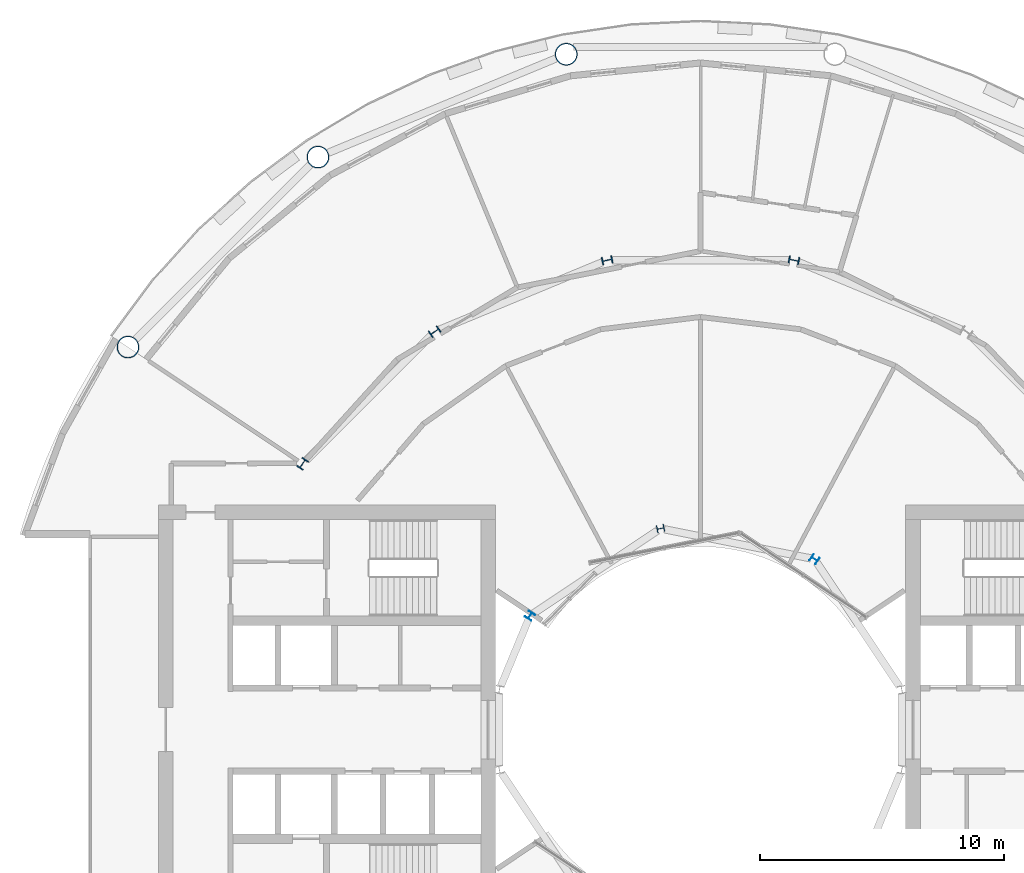
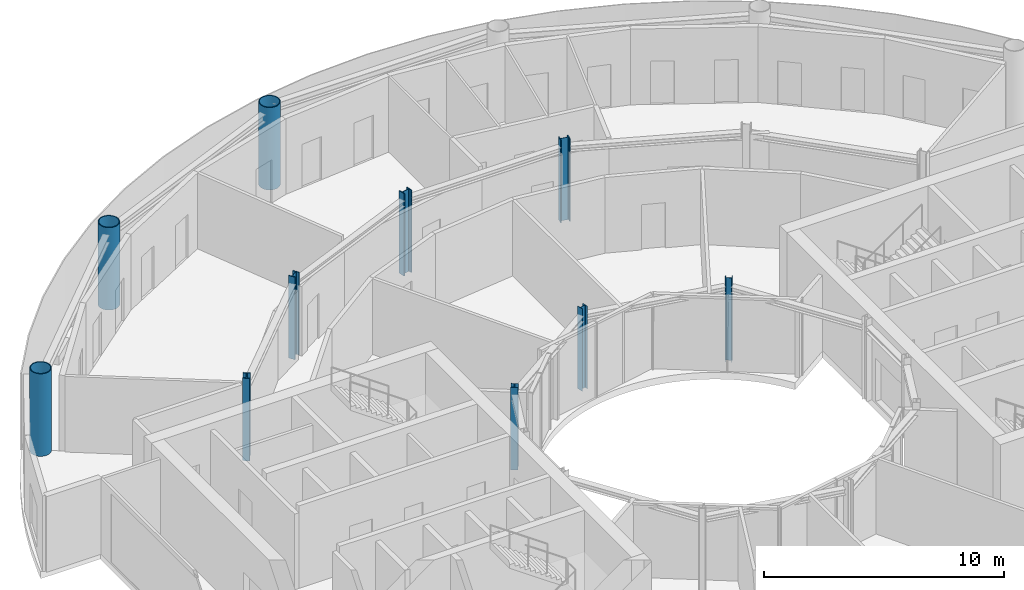
# One storey, part 3 of 21: 10 columns.
"""IFC4 building model written with IfcOpenShell, lengths in metres."""

import ifcopenshell
import ifcopenshell.guid

model = None  # the IFC model being written
_history = None  # IfcOwnerHistory: only IFC2X3 demands one
_inside = {}  # id of a spatial element -> (the spatial element, [elements in it])
_under = {}  # id of a project, library or spatial element -> (it, [spatial elements below it])
_declared = {}  # id of a project -> (the project, [libraries it declares])
_typed = {}  # id of a type object -> (the type object, [elements of that type])
_made_of = {}  # id of a material, layer set ... -> (it, [elements and type objects made of it])


def new_model(schema):
    """Start an empty IFC model of exactly this schema.

    Asked for "IFC4X3", IfcOpenShell would pick the latest addendum, in which some entities
    have other attributes; the version numbers below select the first issue.
    IFC2X3 requires an IfcOwnerHistory on every rooted entity: one is made here for all.
    """
    global model, _history
    if schema == "IFC4X3":
        model = ifcopenshell.file(schema_version=(4, 3, 0, 0))
    else:
        model = ifcopenshell.file(schema=schema)
    _inside.clear()
    _under.clear()
    _declared.clear()
    _typed.clear()
    _made_of.clear()
    _history = None
    if model.schema == "IFC2X3":
        org = make("IfcOrganization", Name="unknown")
        user = make(
            "IfcPersonAndOrganization",
            ThePerson=make("IfcPerson", FamilyName="unknown"),
            TheOrganization=org,
        )
        app = make(
            "IfcApplication",
            ApplicationDeveloper=org,
            Version="unknown",
            ApplicationFullName="unknown",
            ApplicationIdentifier="unknown",
        )
        _history = make(
            "IfcOwnerHistory",
            OwningUser=user,
            OwningApplication=app,
            ChangeAction="ADDED",
            CreationDate=0,
        )
    return model


def make(cls, **values):
    """One entity of the class cls with the attributes given. An attribute that is None is left unset."""
    return model.create_entity(
        cls, **{name: value for name, value in values.items() if value is not None}
    )


def rooted(cls, **values):
    """An entity with a GlobalId (a new one), such as an element, a storey or a relation."""
    return make(cls, GlobalId=ifcopenshell.guid.new(), OwnerHistory=_history, **values)


def si_unit(unit_type, name, prefix=None):
    """IfcSIUnit, for example si_unit("LENGTHUNIT", "METRE", prefix="MILLI")."""
    return make("IfcSIUnit", UnitType=unit_type, Prefix=prefix, Name=name)


def assignment(units):
    """IfcUnitAssignment: the units of a project."""
    return None if units is None else make("IfcUnitAssignment", Units=units)


def point(xyz):
    """IfcCartesianPoint."""
    return None if xyz is None else make("IfcCartesianPoint", Coordinates=xyz)


def direction(xyz):
    """IfcDirection."""
    return None if xyz is None else make("IfcDirection", DirectionRatios=xyz)


def frame(location, z_axis=None, x_axis=None):
    """IfcAxis2Placement3D, a coordinate frame: its origin and axes. An axis left out is left unset."""
    return make(
        "IfcAxis2Placement3D",
        Location=point(location),
        Axis=direction(z_axis),
        RefDirection=direction(x_axis),
    )


def frame_2d(location, x_axis=None):
    """IfcAxis2Placement2D, a coordinate frame in the plane: its origin and x axis."""
    return make(
        "IfcAxis2Placement2D", Location=point(location), RefDirection=direction(x_axis)
    )


def origin():
    """The frame at (0, 0, 0) with its axes left unset."""
    return frame((0.0, 0.0, 0.0))


def origin_2d():
    """The frame at (0, 0) in the plane with its x axis left unset."""
    return frame_2d((0.0, 0.0))


def place(relative_to, where):
    """IfcLocalPlacement: puts the frame where relative to a parent placement (None: the world)."""
    return make(
        "IfcLocalPlacement", PlacementRelTo=relative_to, RelativePlacement=where
    )


def context(
    kind, dimensions, precision=None, world=None, true_north=None, identifier=None
):
    """IfcGeometricRepresentationContext, for example the 3D "Model" context."""
    return make(
        "IfcGeometricRepresentationContext",
        ContextIdentifier=identifier,
        ContextType=kind,
        CoordinateSpaceDimension=dimensions,
        Precision=precision,
        WorldCoordinateSystem=world,
        TrueNorth=true_north,
    )


def subcontext(parent, identifier, kind, view, scale=None):
    """IfcGeometricRepresentationSubContext, for example "Body" below "Model"."""
    return make(
        "IfcGeometricRepresentationSubContext",
        ContextIdentifier=identifier,
        ContextType=kind,
        ParentContext=parent,
        TargetScale=scale,
        TargetView=view,
    )


def project(units=None, contexts=None):
    """IfcProject with its units and contexts."""
    return rooted(
        "IfcProject",
        Name="project",
        RepresentationContexts=contexts,
        UnitsInContext=assignment(units),
    )


def spatial(cls, under=None, at=None, **own):
    """A site, building, storey or space (cls), placed at a placement, below another one or the project."""
    s = rooted(cls, ObjectPlacement=at, **own)
    if under is not None:
        _under.setdefault(under.id(), (under, []))[1].append(s)
    return s


def profile(cls, at=None, kind="AREA", **sizes):
    """A parametric profile (cls). Its sizes go by their IFC names, for example OverallWidth=200.0."""
    return make(cls, ProfileType=kind, Position=at, **sizes)


def hollow_circle(**sizes):
    """IfcCircleHollowProfileDef."""
    return profile("IfcCircleHollowProfileDef", **sizes)


def i_section(**sizes):
    """IfcIShapeProfileDef."""
    return profile("IfcIShapeProfileDef", **sizes)


def extrude(swept, where, along, depth):
    """IfcExtrudedAreaSolid: the profile swept, set in the frame where, extruded along a direction by depth."""
    return make(
        "IfcExtrudedAreaSolid",
        SweptArea=swept,
        Position=where,
        ExtrudedDirection=direction(along),
        Depth=depth,
    )


def shape(context_of_items, identifier, shape_type, items):
    """IfcShapeRepresentation: the items that make up one representation, for example the "Body"."""
    return make(
        "IfcShapeRepresentation",
        ContextOfItems=context_of_items,
        RepresentationIdentifier=identifier,
        RepresentationType=shape_type,
        Items=items,
    )


def material(Name=None, Category=None):
    """IfcMaterial."""
    return make("IfcMaterial", Name=Name, Category=Category)


def material_profile(
    of_material, cross_section, Name=None, Category=None, Priority=None
):
    """IfcMaterialProfile: a cross section and its material."""
    return make(
        "IfcMaterialProfile",
        Name=Name,
        Material=of_material,
        Profile=cross_section,
        Priority=Priority,
        Category=Category,
    )


def profile_set(profiles, Name=None, composite=None):
    """IfcMaterialProfileSet."""
    return make(
        "IfcMaterialProfileSet",
        Name=Name,
        MaterialProfiles=profiles,
        CompositeProfile=composite,
    )


def made_of(thing, what):
    """Note that an element or type object is made of a material, layer set ...; save() writes the relation."""
    if what is not None:
        _made_of.setdefault(what.id(), (what, []))[1].append(thing)
    return thing


def type_object(cls, material=None, **own):
    """A type object (cls), such as IfcWallType, which elements share."""
    return made_of(rooted(cls, **own), material)


def element(
    cls,
    number,
    at=None,
    inside=None,
    cuts=None,
    type_object=None,
    material=None,
    context=None,
    identifier="Body",
    shape_type=None,
    held_by="IfcProductDefinitionShape",
    body=None,
    shapes=None,
    **own,
):
    """One element of the class cls, such as IfcWall. Its Tag is "e" and its number.

    at: its placement. inside: the storey or other place that contains it. cuts: it is an
    opening in that element (IfcRelVoidsElement). A single representation is given by context,
    identifier, shape_type and body (its items); several are given by shapes. held_by: the class
    of the entity that holds the representations. save() writes the other relations.
    """
    e = rooted(cls, Tag="e%d" % number, ObjectPlacement=at, **own)
    if body is not None:
        shapes = [shape(context, identifier, shape_type, body)]
    if shapes is not None:
        e.Representation = make(held_by, Representations=shapes)
    if inside is not None:
        _inside.setdefault(inside.id(), (inside, []))[1].append(e)
    if cuts is not None:
        rooted(
            "IfcRelVoidsElement", RelatingBuildingElement=cuts, RelatedOpeningElement=e
        )
    if type_object is not None:
        _typed.setdefault(type_object.id(), (type_object, []))[1].append(e)
    return made_of(e, material)


def aggregate(whole, parts):
    """IfcRelAggregates: a whole, such as a stair, and the parts it consists of."""
    return rooted("IfcRelAggregates", RelatingObject=whole, RelatedObjects=parts)


def save(model, path):
    """Write the relations noted so far, then the file.

    IfcRelAggregates (storeys below a building ...), IfcRelContainedInSpatialStructure (elements
    in a storey), IfcRelDefinesByType, IfcRelAssociatesMaterial and IfcRelDeclares: one each for
    every whole, place, type object, material and project.
    """
    for whole, parts in _under.values():
        aggregate(whole, parts)
    for where, things in _inside.values():
        rooted(
            "IfcRelContainedInSpatialStructure",
            RelatedElements=things,
            RelatingStructure=where,
        )
    for kind, things in _typed.values():
        rooted("IfcRelDefinesByType", RelatedObjects=things, RelatingType=kind)
    for what, things in _made_of.values():
        rooted("IfcRelAssociatesMaterial", RelatedObjects=things, RelatingMaterial=what)
    for by, libraries in _declared.values():
        rooted("IfcRelDeclares", RelatingContext=by, RelatedDefinitions=libraries)
    model.write(path)


model = new_model("IFC4")

# Units and contexts
model_context = context("Model", 3, precision=1e-05, world=origin(), true_north=direction((0.0, 1.0)))
body_context = subcontext(model_context, "Body", "Model", "MODEL_VIEW")
ifc_project = project(units=[si_unit("LENGTHUNIT", "METRE"), si_unit("AREAUNIT", "SQUARE_METRE"), si_unit("VOLUMEUNIT", "CUBIC_METRE"), si_unit("PLANEANGLEUNIT", "RADIAN"), si_unit("MASSUNIT", "GRAM", prefix="KILO")], contexts=[model_context])

# Site, building, storey
site_placement = place(None, origin())
site = spatial("IfcSite", under=ifc_project, at=site_placement, CompositionType="ELEMENT")
building_placement = place(site_placement, origin())
building = spatial("IfcBuilding", under=site, at=building_placement, Name="Maasbend Ring Residences", CompositionType="ELEMENT")
storey_placement = place(building_placement, frame((0.0, 0.0, 107.449951171875)))
storey = spatial("IfcBuildingStorey", under=building, at=storey_placement, Name="L30", CompositionType="ELEMENT", Elevation=107.449951171875)

# Columns
ifc_material_1 = material(Name="Composite concrete-filled steel tube S460NH / C80/95", Category="concrete")
ifc_material_profile_1 = material_profile(ifc_material_1, hollow_circle(Radius=0.45703125, WallThickness=0.0400390625, at=origin_2d()), Name="Composite tube column CHS 914x40")
ifc_profile_set_1 = profile_set([ifc_material_profile_1], Name="Composite concrete-filled steel tube S460NH / C80/95")
column_type_1 = type_object("IfcColumnType", Name="Composite tube column CHS 914x40", PredefinedType="COLUMN", material=ifc_profile_set_1)
for number, where, z_axis, x_axis, name in (
    (1, (-5.50146484375, 27.658203125, 0.0), (0.0, 0.0, 1.0), (1.0, 0.0, 0.0), "Outer column R5"),
    (2, (-15.6669921875, 23.447509765625, 0.0), (0.0, 0.0, 1.0), (1.0, 0.0, 0.0), "Outer column R6"),
    (3, (-23.447509765625, 15.6669921875, 0.0), (0.0, 0.0, 1.0), (1.0, 0.0, 0.0), "Outer column R7"),
):
    element("IfcColumn", number, at=place(storey_placement, frame(where, z_axis=z_axis, x_axis=x_axis)), inside=storey, type_object=column_type_1, Name=name, PredefinedType="COLUMN", context=body_context, shape_type="SweptSolid", body=[
        extrude(hollow_circle(Radius=0.45703125, WallThickness=0.0400390625, at=origin_2d()), origin(), (0.0, 0.0, 1.0), 4.199951171875),
    ])
ifc_material_2 = material(Name="Steel S355J2", Category="steel")
ifc_material_profile_2 = material_profile(ifc_material_2, i_section(OverallWidth=0.300048828125, OverallDepth=0.300048828125, WebThickness=0.010986328125, FlangeThickness=0.01904296875, FilletRadius=0.027099609375, at=origin_2d()), Name="HEB 300")
ifc_profile_set_2 = profile_set([ifc_material_profile_2], Name="Steel S355J2")
column_type_2 = type_object("IfcColumnType", Name="Steel column HEB 300", PredefinedType="COLUMN", material=ifc_profile_set_2)
for number, where, z_axis, x_axis, name in (
    (4, (4.666748046875, 6.984375, 0.0), (0.0, 0.0, 1.0), (0.55557023302, 0.831469612303, 0.0), "Well ring column R3"),
    (5, (-1.638916015625, 8.238525390625, 0.0), (0.0, 0.0, 1.0), (-0.195090322016, 0.980785280403, 0.0), "Well ring column R5"),
    (6, (-6.984375, 4.666748046875, 0.0), (0.0, 0.0, 1.0), (-0.831469612303, 0.55557023302, 0.0), "Well ring column R7"),
):
    element("IfcColumn", number, at=place(storey_placement, frame(where, z_axis=z_axis, x_axis=x_axis)), inside=storey, type_object=column_type_2, Name=name, PredefinedType="COLUMN", context=body_context, shape_type="SweptSolid", body=[
        extrude(i_section(OverallWidth=0.300048828125, OverallDepth=0.300048828125, WebThickness=0.010986328125, FlangeThickness=0.01904296875, FilletRadius=0.027099609375, at=origin_2d()), origin(), (0.0, 0.0, 1.0), 4.199951171875),
    ])
ifc_material_3 = material(Name="Steel S460M", Category="steel")
ifc_material_profile_3 = material_profile(ifc_material_3, i_section(OverallWidth=0.306884765625, OverallDepth=0.431884765625, WebThickness=0.02099609375, FlangeThickness=0.0400390625, FilletRadius=0.027099609375, at=origin_2d()), Name="HEM 400")
ifc_profile_set_3 = profile_set([ifc_material_profile_3], Name="Steel S460M")
column_type_3 = type_object("IfcColumnType", Name="Steel column HEM 400", PredefinedType="COLUMN", material=ifc_profile_set_3)
for number, where, z_axis, x_axis, name in (
    (7, (3.82373046875, 19.223388671875, 0.0), (0.0, 0.0, 1.0), (0.195090322016, 0.980785280403, 0.0), "Corridor ring column R4"),
    (8, (-3.82373046875, 19.223388671875, 0.0), (0.0, 0.0, 1.0), (-0.195090322016, 0.980785280403, 0.0), "Corridor ring column R5"),
    (9, (-10.88916015625, 16.296875, 0.0), (0.0, 0.0, 1.0), (-0.55557023302, 0.831469612303, 0.0), "Corridor ring column R6"),
    (10, (-16.296875, 10.88916015625, 0.0), (0.0, 0.0, 1.0), (-0.831469612303, 0.55557023302, 0.0), "Corridor ring column R7"),
):
    element("IfcColumn", number, at=place(storey_placement, frame(where, z_axis=z_axis, x_axis=x_axis)), inside=storey, type_object=column_type_3, Name=name, PredefinedType="COLUMN", context=body_context, shape_type="SweptSolid", body=[
        extrude(i_section(OverallWidth=0.306884765625, OverallDepth=0.431884765625, WebThickness=0.02099609375, FlangeThickness=0.0400390625, FilletRadius=0.027099609375, at=origin_2d()), origin(), (0.0, 0.0, 1.0), 4.199951171875),
    ])

save(model, "model.ifc")
